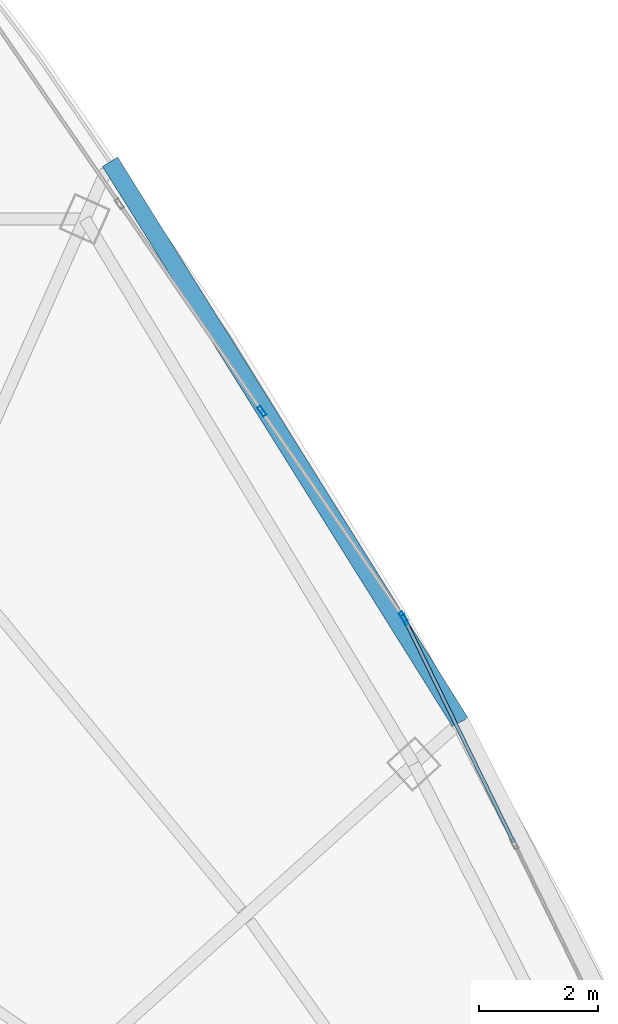
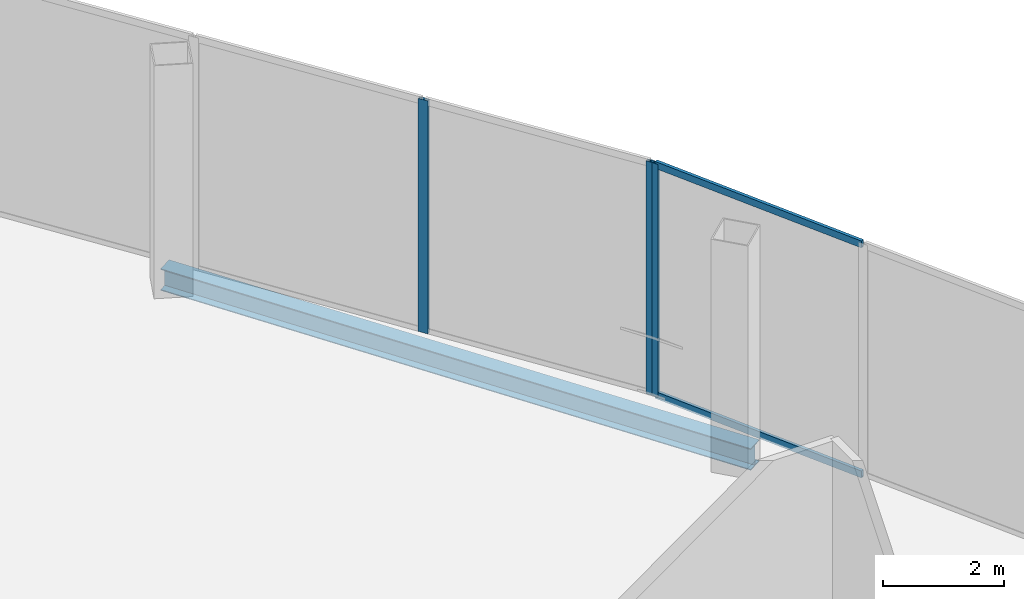
# One storey, part 22 of 33: 5 members, 1 beam, 2 elements without a shape of their own.
"""IFC4 building model written with IfcOpenShell, lengths in metres."""

from ifc_helpers import new_model, si_unit, direction, frame, origin, origin_2d, place, context, subcontext, project, spatial, hollow_rectangle, i_section, extrude, source, transform, mapped, material, layer, layer_set, material_profile, profile_set, type_object, element, aggregate, save


model = new_model("IFC4")

# Units and contexts
model_context = context("Model", 3, precision=1e-05, world=origin(), true_north=direction((0.0, 1.0)))
body_context = subcontext(model_context, "Body", "Model", "MODEL_VIEW")
ifc_project = project(units=[si_unit("LENGTHUNIT", "METRE"), si_unit("AREAUNIT", "SQUARE_METRE"), si_unit("VOLUMEUNIT", "CUBIC_METRE"), si_unit("PLANEANGLEUNIT", "RADIAN"), si_unit("MASSUNIT", "GRAM", prefix="KILO"), si_unit("THERMODYNAMICTEMPERATUREUNIT", "KELVIN"), si_unit("POWERUNIT", "WATT")], contexts=[model_context])

# Site, building, storey
site_placement = place(None, origin())
site = spatial("IfcSite", under=ifc_project, at=site_placement, CompositionType="ELEMENT")
building_placement = place(site_placement, origin())
building = spatial("IfcBuilding", under=site, at=building_placement, Name="Yunzhuo Pagoda Commons", CompositionType="ELEMENT")
storey_placement = place(building_placement, frame((0.0, 0.0, 386.760009765625)))
storey = spatial("IfcBuildingStorey", under=building, at=storey_placement, Name="L96", CompositionType="ELEMENT", Elevation=386.760009765625)

# Beam
ifc_material_1 = material(Name="Structural steel Q355B", Category="steel")
ifc_material_profile_1 = material_profile(ifc_material_1, i_section(OverallWidth=0.300048828125, OverallDepth=0.43994140625, WebThickness=0.010986328125, FlangeThickness=0.01806640625, at=origin_2d()), Name="Structural steel Q355B")
ifc_profile_set_1 = profile_set([ifc_material_profile_1], Name="Structural steel Q355B")
beam_type = type_object("IfcBeamType", Name="B-SP2 Beam HM 440x300x11x18", PredefinedType="BEAM", material=ifc_profile_set_1)
shared_shape_1 = source(origin(), body_context, "Body", "SweptSolid", [
    extrude(i_section(OverallWidth=0.300048828125, OverallDepth=0.43994140625, WebThickness=0.010986328125, FlangeThickness=0.01806640625, at=origin_2d()), origin(), (0.0, 0.0, 1.0), 11.094482421875),
])
beam_placement = place(storey_placement, frame((64.804931640625, 48.831298828125, -0.5), z_axis=(-0.529915860294, 0.848050223164, 0.0), x_axis=(-0.848050223164, -0.529915860294, 0.0)))
element("IfcBeam", 1, at=beam_placement, inside=storey, type_object=beam_type, Name="L96 facade edge spandrel beam F2.3", PredefinedType="BEAM", context=body_context, shape_type="MappedRepresentation", body=[
    mapped(shared_shape_1, transform((0.0, 0.0, 0.0), scale=1.0)),
])

# Curtain wall, member
ifc_material_2 = material(Name="Anodized aluminium 6063-T6", Category="aluminium")
ifc_layer = layer(ifc_material_2, 0.179931640625)
ifc_layer_set = layer_set([ifc_layer], Name="Anodized aluminium 6063-T6")
curtain_wall_type = type_object("IfcCurtainWallType", Name="CW-CRN Crown Gable Glazing System", PredefinedType="NOTDEFINED", material=ifc_layer_set)
curtain_wall_1_placement = place(storey_placement, origin())
curtain_wall_1 = element("IfcCurtainWall", 2, at=curtain_wall_1_placement, inside=storey, type_object=curtain_wall_type, Name="L96 curtain wall CW-L96-CRNF2G1", PredefinedType="NOTDEFINED")
ifc_material_profile_2 = material_profile(ifc_material_2, hollow_rectangle(XDim=0.06494140625, YDim=0.179931640625, WallThickness=0.00390625, at=origin_2d()), Name="Anodized aluminium 6063-T6")
ifc_profile_set_2 = profile_set([ifc_material_profile_2], Name="Anodized aluminium 6063-T6")
member_type_1 = type_object("IfcMemberType", Name="CW-CRN-M Mullion RHS 180x65x4", PredefinedType="MULLION", material=ifc_profile_set_2)
shared_shape_2 = source(origin(), body_context, "Body", "SweptSolid", [
    extrude(hollow_rectangle(XDim=0.06494140625, YDim=0.179931640625, WallThickness=0.00390625, at=origin_2d()), origin(), (0.0, 0.0, 1.0), 4.72021484375),
])
member_1_placement = place(storey_placement, frame((63.873779296875, 50.55322265625, 0.0), z_axis=(0.0, 0.0, 1.0), x_axis=(-0.898299261226, -0.439384156839, 0.0)))
member_1 = element("IfcMember", 3, at=member_1_placement, type_object=member_type_1, Name="CW mullion 5", PredefinedType="MULLION", context=body_context, shape_type="MappedRepresentation", body=[
    mapped(shared_shape_2, transform((0.0, 0.0, 0.0), scale=1.0)),
])

# Curtain wall, members
curtain_wall_2_placement = place(storey_placement, origin())
curtain_wall_2 = element("IfcCurtainWall", 4, at=curtain_wall_2_placement, inside=storey, type_object=curtain_wall_type, Name="L96 curtain wall CW-L96-CRNF2G2", PredefinedType="NOTDEFINED")
member_2_placement = place(storey_placement, frame((63.84716796875, 50.59912109375, 0.0), z_axis=(0.0, 0.0, 1.0), x_axis=(-0.824296116005, -0.566158911561, 0.0)))
member_2 = element("IfcMember", 5, at=member_2_placement, type_object=member_type_1, Name="CW mullion 1", PredefinedType="MULLION", context=body_context, shape_type="MappedRepresentation", body=[
    mapped(shared_shape_2, transform((0.0, 0.0, 0.0), scale=1.0)),
])
member_3_placement = place(storey_placement, frame((61.47509765625, 54.05322265625, 0.0), z_axis=(0.0, 0.0, 1.0), x_axis=(-0.824296116005, -0.566158911561, 0.0)))
member_3 = element("IfcMember", 6, at=member_3_placement, type_object=member_type_1, Name="CW mullion 2", PredefinedType="MULLION", context=body_context, shape_type="MappedRepresentation", body=[
    mapped(shared_shape_2, transform((0.0, 0.0, 0.0), scale=1.0)),
])
aggregate(curtain_wall_2, [member_2, member_3])

# Member
ifc_material_profile_3 = material_profile(ifc_material_2, hollow_rectangle(XDim=0.06005859375, YDim=0.139892578125, WallThickness=0.00341796875, at=origin_2d()), Name="Anodized aluminium 6063-T6")
ifc_profile_set_3 = profile_set([ifc_material_profile_3], Name="Anodized aluminium 6063-T6")
member_type_2 = type_object("IfcMemberType", Name="CW-CRN-T Transom RHS 140x60x3.5", PredefinedType="USERDEFINED", material=ifc_profile_set_3)
shared_shape_3 = source(origin(), body_context, "Body", "SweptSolid", [
    extrude(hollow_rectangle(XDim=0.06005859375, YDim=0.139892578125, WallThickness=0.00341796875, at=origin_2d()), origin(), (0.0, 0.0, 1.0), 4.125244140625),
])
member_4_placement = place(storey_placement, frame((65.70068359375, 46.818359375, 0.030029296875), z_axis=(-0.439360850233, 0.898310660787, 0.0), x_axis=(-0.898310660787, -0.439360850233, 0.0)))
member_4 = element("IfcMember", 7, at=member_4_placement, type_object=member_type_2, Name="CW transom 4.1", ObjectType="TRANSOM", PredefinedType="USERDEFINED", context=body_context, shape_type="MappedRepresentation", body=[
    mapped(shared_shape_3, transform((0.0, 0.0, 0.0), scale=1.0)),
])

member_5_placement = place(storey_placement, frame((65.70068359375, 46.818359375, 4.68994140625), z_axis=(-0.439360850233, 0.898310660787, 0.0), x_axis=(-0.898310660787, -0.439360850233, 0.0)))
member_5 = element("IfcMember", 8, at=member_5_placement, type_object=member_type_2, Name="CW transom 4.2", ObjectType="TRANSOM", PredefinedType="USERDEFINED", context=body_context, shape_type="MappedRepresentation", body=[
    mapped(shared_shape_3, transform((0.0, 0.0, 0.0), scale=1.0)),
])

aggregate(curtain_wall_1, [member_1, member_4, member_5])

save(model, "model.ifc")
